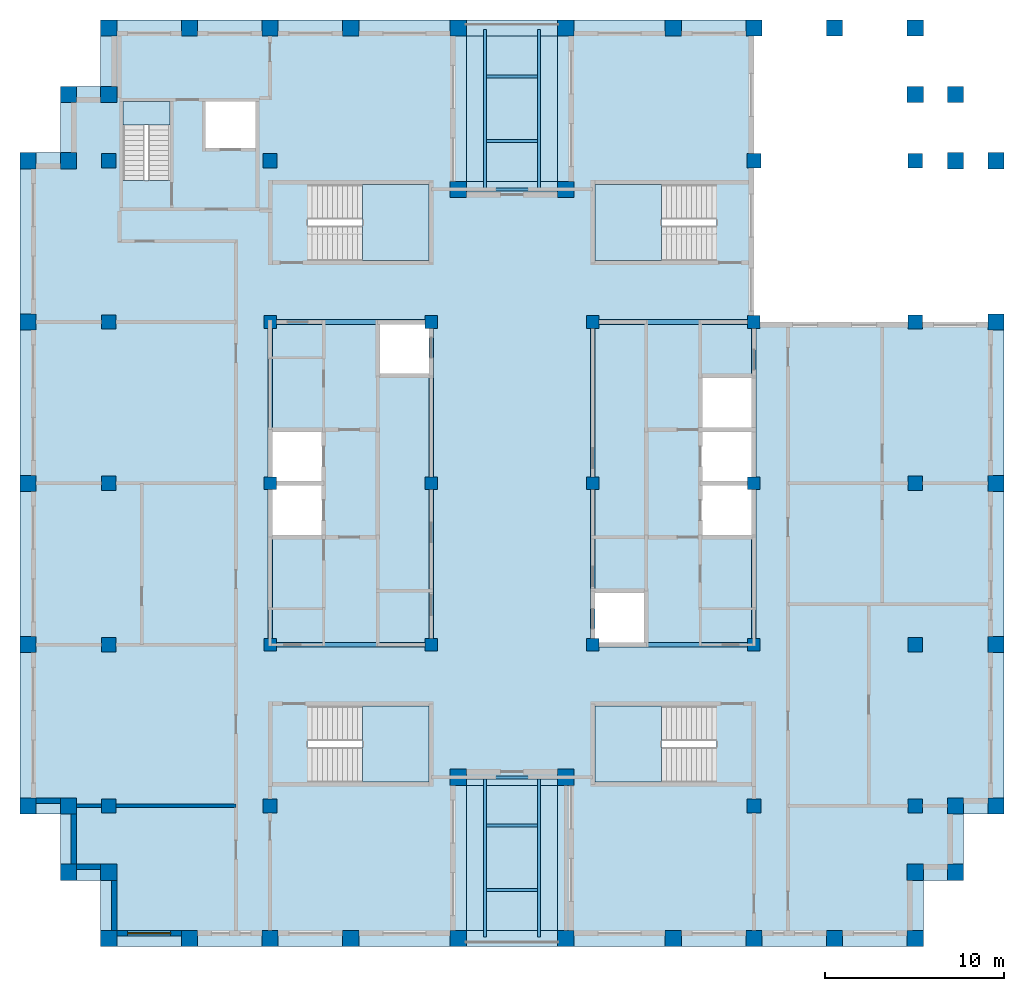
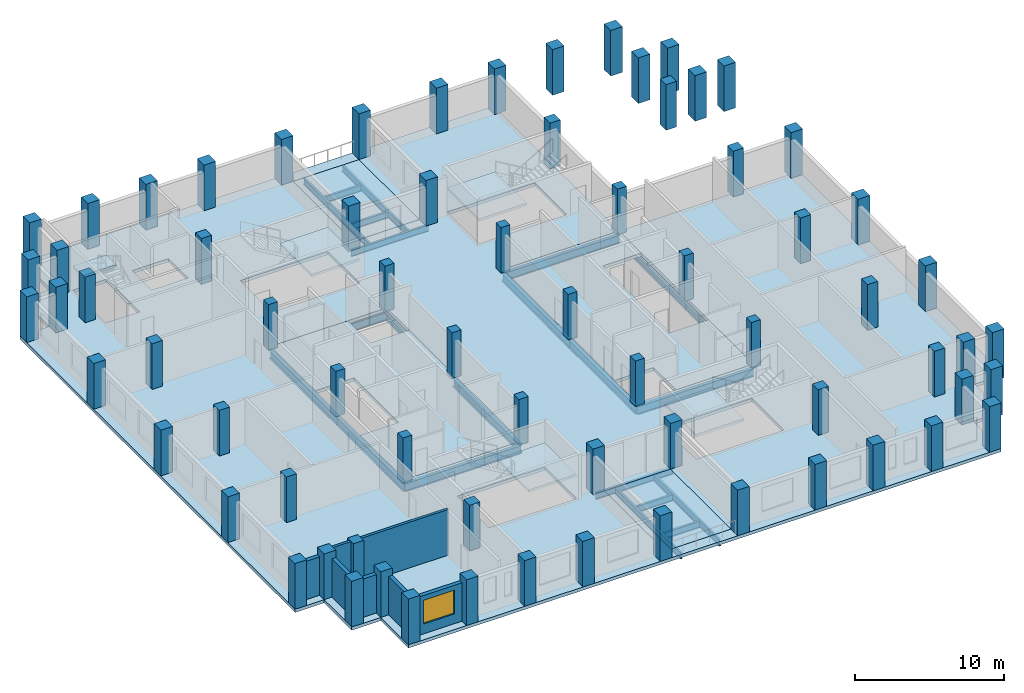
# One storey, part 1 of 8: 72 columns, 22 beams, 10 slabs, 6 walls, 1 window, 1 opening, 5 elements without a shape of their own.
"""IFC4 building model written with IfcOpenShell, lengths in metres."""

from ifc_helpers import new_model, si_unit, direction, frame, frame_2d, origin, origin_2d, place, context, subcontext, project, spatial, polyline, rectangle, i_section, outline, extrude, material, layer, layer_set, material_profile, profile_set, type_object, element, fill, aggregate, save


model = new_model("IFC4")

# Units and contexts
model_context = context("Model", 3, precision=1e-05, world=origin(), true_north=direction((0.0, 1.0)))
body_context = subcontext(model_context, "Body", "Model", "MODEL_VIEW")
ifc_project = project(units=[si_unit("LENGTHUNIT", "METRE"), si_unit("AREAUNIT", "SQUARE_METRE"), si_unit("VOLUMEUNIT", "CUBIC_METRE"), si_unit("PLANEANGLEUNIT", "RADIAN"), si_unit("MASSUNIT", "GRAM", prefix="KILO")], contexts=[model_context])

# Site, building, storey
site_placement = place(None, origin())
site = spatial("IfcSite", under=ifc_project, at=site_placement, CompositionType="ELEMENT")
building_placement = place(site_placement, origin())
building = spatial("IfcBuilding", under=site, at=building_placement, Name="Corbelhall Arena Tower", CompositionType="ELEMENT")
storey_placement = place(building_placement, frame((0.0, 0.0, 326.0)))
storey = spatial("IfcBuildingStorey", under=building, at=storey_placement, Name="L71", CompositionType="ELEMENT", Elevation=326.0)

# Columns
ifc_material_1 = material(Name="Concrete C80/95", Category="concrete")
ifc_material_profile_1 = material_profile(ifc_material_1, rectangle(XDim=0.699951171875, YDim=0.699951171875, at=origin_2d()))
ifc_profile_set_1 = profile_set([ifc_material_profile_1], Name="Concrete C80/95")
column_type_1 = type_object("IfcColumnType", Name="ST-COL-RC 700x700", PredefinedType="COLUMN", material=ifc_profile_set_1)
for number, where, z_axis, x_axis, name in (
    (1, (4.5, 0.0, 0.0), (0.0, 0.0, 1.0), (1.0, 0.0, 0.0), "Column KE+0450+0000"),
    (2, (4.5, 9.0, 0.0), (0.0, 0.0, 1.0), (1.0, 0.0, 0.0), "Column KE+0450+0900"),
    (3, (4.5, -9.0, 0.0), (0.0, 0.0, 1.0), (1.0, 0.0, 0.0), "Column KE+0450-0900"),
    (4, (13.5, 0.0, 0.0), (0.0, 0.0, 1.0), (1.0, 0.0, 0.0), "Column KE+1350+0000"),
    (5, (13.5, 9.0, 0.0), (0.0, 0.0, 1.0), (1.0, 0.0, 0.0), "Column KE+1350+0900"),
    (6, (13.5, -9.0, 0.0), (0.0, 0.0, 1.0), (1.0, 0.0, 0.0), "Column KE+1350-0900"),
    (7, (-4.5, 0.0, 0.0), (0.0, 0.0, 1.0), (1.0, 0.0, 0.0), "Column KW-0450+0000"),
    (8, (-4.5, 9.0, 0.0), (0.0, 0.0, 1.0), (1.0, 0.0, 0.0), "Column KW-0450+0900"),
    (9, (-4.5, -9.0, 0.0), (0.0, 0.0, 1.0), (1.0, 0.0, 0.0), "Column KW-0450-0900"),
    (10, (-13.5, 0.0, 0.0), (0.0, 0.0, 1.0), (1.0, 0.0, 0.0), "Column KW-1350+0000"),
    (11, (-13.5, 9.0, 0.0), (0.0, 0.0, 1.0), (1.0, 0.0, 0.0), "Column KW-1350+0900"),
    (12, (-13.5, -9.0, 0.0), (0.0, 0.0, 1.0), (1.0, 0.0, 0.0), "Column KW-1350-0900"),
):
    element("IfcColumn", number, at=place(storey_placement, frame(where, z_axis=z_axis, x_axis=x_axis)), inside=storey, type_object=column_type_1, Name=name, PredefinedType="COLUMN", context=body_context, shape_type="SweptSolid", body=[
        extrude(rectangle(XDim=0.699951171875, YDim=0.699951171875, at=origin_2d()), origin(), (0.0, 0.0, 1.0), 3.739990234375),
    ])
ifc_material_profile_2 = material_profile(ifc_material_1, rectangle(XDim=0.800048828125, YDim=0.800048828125, at=origin_2d()))
ifc_profile_set_2 = profile_set([ifc_material_profile_2], Name="Concrete C80/95")
column_type_2 = type_object("IfcColumnType", Name="ST-COL-RC 800x800", PredefinedType="COLUMN", material=ifc_profile_set_2)
for number, where, z_axis, x_axis, name in (
    (13, (13.5, 18.0, 0.0), (0.0, 0.0, 1.0), (1.0, 0.0, 0.0), "Column IE13+1800"),
    (14, (13.5, -18.0, 0.0), (0.0, 0.0, 1.0), (1.0, 0.0, 0.0), "Column IE13-1800"),
    (15, (22.5, 0.0, 0.0), (0.0, 0.0, 1.0), (1.0, 0.0, 0.0), "Column IE22+0000"),
    (16, (22.5, 9.0, 0.0), (0.0, 0.0, 1.0), (1.0, 0.0, 0.0), "Column IE22+0900"),
    (17, (22.5, 18.0, 0.0), (0.0, 0.0, 1.0), (1.0, 0.0, 0.0), "Column IE22+1800"),
    (18, (22.5, -9.0, 0.0), (0.0, 0.0, 1.0), (1.0, 0.0, 0.0), "Column IE22-0900"),
    (19, (22.5, -18.0, 0.0), (0.0, 0.0, 1.0), (1.0, 0.0, 0.0), "Column IE22-1800"),
    (20, (-13.5, 18.0, 0.0), (0.0, 0.0, 1.0), (1.0, 0.0, 0.0), "Column IW13+1800"),
    (21, (-13.5, -18.0, 0.0), (0.0, 0.0, 1.0), (1.0, 0.0, 0.0), "Column IW13-1800"),
    (22, (-22.5, 0.0, 0.0), (0.0, 0.0, 1.0), (1.0, 0.0, 0.0), "Column IW22+0000"),
    (23, (-22.5, 9.0, 0.0), (0.0, 0.0, 1.0), (1.0, 0.0, 0.0), "Column IW22+0900"),
    (24, (-22.5, 18.0, 0.0), (0.0, 0.0, 1.0), (1.0, 0.0, 0.0), "Column IW22+1800"),
    (25, (-22.5, -9.0, 0.0), (0.0, 0.0, 1.0), (1.0, 0.0, 0.0), "Column IW22-0900"),
    (26, (-22.5, -18.0, 0.0), (0.0, 0.0, 1.0), (1.0, 0.0, 0.0), "Column IW22-1800"),
):
    element("IfcColumn", number, at=place(storey_placement, frame(where, z_axis=z_axis, x_axis=x_axis)), inside=storey, type_object=column_type_2, Name=name, PredefinedType="COLUMN", context=body_context, shape_type="SweptSolid", body=[
        extrude(rectangle(XDim=0.800048828125, YDim=0.800048828125, at=origin_2d()), origin(), (0.0, 0.0, 1.0), 3.739990234375),
    ])
ifc_material_profile_3 = material_profile(ifc_material_1, rectangle(XDim=0.89990234375, YDim=0.89990234375, at=origin_2d()))
ifc_profile_set_3 = profile_set([ifc_material_profile_3], Name="Concrete C80/95")
column_type_3 = type_object("IfcColumnType", Name="ST-COL-RC 900x900", PredefinedType="COLUMN", material=ifc_profile_set_3)
for number, where, z_axis, x_axis, name in (
    (27, (27.0, 0.0, 0.0), (0.0, 0.0, 1.0), (0.0, 1.0, 0.0), "Column PE+0000"),
    (28, (27.0, 9.0, 0.0), (0.0, 0.0, 1.0), (0.0, 1.0, 0.0), "Column PE+0900"),
    (29, (27.0, 18.0, 0.0), (0.0, 0.0, 1.0), (0.0, 1.0, 0.0), "Column PE+1800"),
    (30, (27.0, -9.0, 0.0), (0.0, 0.0, 1.0), (0.0, 1.0, 0.0), "Column PE-0900"),
    (31, (27.0, -18.0, 0.0), (0.0, 0.0, 1.0), (0.0, 1.0, 0.0), "Column PE-1800"),
    (32, (3.0, 25.39990234375, 0.0), (0.0, 0.0, 1.0), (1.0, 0.0, 0.0), "Column PNE0300"),
    (33, (9.0, 25.39990234375, 0.0), (0.0, 0.0, 1.0), (1.0, 0.0, 0.0), "Column PNE0900"),
    (34, (13.5, 25.39990234375, 0.0), (0.0, 0.0, 1.0), (1.0, 0.0, 0.0), "Column PNE1350"),
    (35, (18.0, 25.39990234375, 0.0), (0.0, 0.0, 1.0), (1.0, 0.0, 0.0), "Column PNE1800"),
    (36, (22.5, 25.39990234375, 0.0), (0.0, 0.0, 1.0), (1.0, 0.0, 0.0), "Column PNE2250"),
    (37, (-3.0, 25.39990234375, 0.0), (0.0, 0.0, 1.0), (1.0, 0.0, 0.0), "Column PNW0300"),
    (38, (-9.0, 25.39990234375, 0.0), (0.0, 0.0, 1.0), (1.0, 0.0, 0.0), "Column PNW0900"),
    (39, (-13.5, 25.39990234375, 0.0), (0.0, 0.0, 1.0), (1.0, 0.0, 0.0), "Column PNW1350"),
    (40, (-18.0, 25.39990234375, 0.0), (0.0, 0.0, 1.0), (1.0, 0.0, 0.0), "Column PNW1800"),
    (41, (-22.5, 25.39990234375, 0.0), (0.0, 0.0, 1.0), (1.0, 0.0, 0.0), "Column PNW2250"),
    (42, (3.0, -25.39990234375, 0.0), (0.0, 0.0, 1.0), (1.0, 0.0, 0.0), "Column PSE0300"),
    (43, (9.0, -25.39990234375, 0.0), (0.0, 0.0, 1.0), (1.0, 0.0, 0.0), "Column PSE0900"),
    (44, (13.5, -25.39990234375, 0.0), (0.0, 0.0, 1.0), (1.0, 0.0, 0.0), "Column PSE1350"),
    (45, (18.0, -25.39990234375, 0.0), (0.0, 0.0, 1.0), (1.0, 0.0, 0.0), "Column PSE1800"),
    (46, (22.5, -25.39990234375, 0.0), (0.0, 0.0, 1.0), (1.0, 0.0, 0.0), "Column PSE2250"),
    (47, (-3.0, -25.39990234375, 0.0), (0.0, 0.0, 1.0), (1.0, 0.0, 0.0), "Column PSW0300"),
    (48, (-9.0, -25.39990234375, 0.0), (0.0, 0.0, 1.0), (1.0, 0.0, 0.0), "Column PSW0900"),
    (49, (-13.5, -25.39990234375, 0.0), (0.0, 0.0, 1.0), (1.0, 0.0, 0.0), "Column PSW1350"),
    (50, (-18.0, -25.39990234375, 0.0), (0.0, 0.0, 1.0), (1.0, 0.0, 0.0), "Column PSW1800"),
    (51, (-22.5, -25.39990234375, 0.0), (0.0, 0.0, 1.0), (1.0, 0.0, 0.0), "Column PSW2250"),
    (52, (-27.0, 0.0, 0.0), (0.0, 0.0, 1.0), (0.0, 1.0, 0.0), "Column PW+0000"),
    (53, (-27.0, 9.0, 0.0), (0.0, 0.0, 1.0), (0.0, 1.0, 0.0), "Column PW+0900"),
    (54, (-27.0, 18.0, 0.0), (0.0, 0.0, 1.0), (0.0, 1.0, 0.0), "Column PW+1800"),
    (55, (-27.0, -9.0, 0.0), (0.0, 0.0, 1.0), (0.0, 1.0, 0.0), "Column PW-0900"),
    (56, (-27.0, -18.0, 0.0), (0.0, 0.0, 1.0), (0.0, 1.0, 0.0), "Column PW-1800"),
    (57, (3.0, 16.39990234375, 0.0), (0.0, 0.0, 1.0), (1.0, 0.0, 0.0), "Column SLNE2"),
    (58, (-3.0, 16.39990234375, 0.0), (0.0, 0.0, 1.0), (1.0, 0.0, 0.0), "Column SLNW2"),
    (59, (3.0, -16.39990234375, 0.0), (0.0, 0.0, 1.0), (1.0, 0.0, 0.0), "Column SLSE2"),
    (60, (-3.0, -16.39990234375, 0.0), (0.0, 0.0, 1.0), (1.0, 0.0, 0.0), "Column SLSW2"),
    (61, (22.5, 21.699951171875, 0.0), (0.0, 0.0, 1.0), (1.0, 0.0, 0.0), "Column XNE1"),
    (62, (24.75, 21.699951171875, 0.0), (0.0, 0.0, 1.0), (1.0, 0.0, 0.0), "Column XNE2"),
    (63, (24.75, 18.0, 0.0), (0.0, 0.0, 1.0), (1.0, 0.0, 0.0), "Column XNE3"),
    (64, (-22.5, 21.699951171875, 0.0), (0.0, 0.0, 1.0), (1.0, 0.0, 0.0), "Column XNW1"),
    (65, (-24.75, 21.699951171875, 0.0), (0.0, 0.0, 1.0), (1.0, 0.0, 0.0), "Column XNW2"),
    (66, (-24.75, 18.0, 0.0), (0.0, 0.0, 1.0), (1.0, 0.0, 0.0), "Column XNW3"),
    (67, (22.5, -21.699951171875, 0.0), (0.0, 0.0, 1.0), (1.0, 0.0, 0.0), "Column XSE1"),
    (68, (24.75, -21.699951171875, 0.0), (0.0, 0.0, 1.0), (1.0, 0.0, 0.0), "Column XSE2"),
    (69, (24.75, -18.0, 0.0), (0.0, 0.0, 1.0), (1.0, 0.0, 0.0), "Column XSE3"),
    (70, (-22.5, -21.699951171875, 0.0), (0.0, 0.0, 1.0), (1.0, 0.0, 0.0), "Column XSW1"),
    (71, (-24.75, -21.699951171875, 0.0), (0.0, 0.0, 1.0), (1.0, 0.0, 0.0), "Column XSW2"),
    (72, (-24.75, -18.0, 0.0), (0.0, 0.0, 1.0), (1.0, 0.0, 0.0), "Column XSW3"),
):
    element("IfcColumn", number, at=place(storey_placement, frame(where, z_axis=z_axis, x_axis=x_axis)), inside=storey, type_object=column_type_3, Name=name, PredefinedType="COLUMN", context=body_context, shape_type="SweptSolid", body=[
        extrude(rectangle(XDim=0.89990234375, YDim=0.89990234375, at=origin_2d()), origin(), (0.0, 0.0, 1.0), 3.739990234375),
    ])

# Beams
ifc_material_2 = material(Name="Steel ASTM A992 Gr50", Category="steel")
ifc_material_profile_4 = material_profile(ifc_material_2, i_section(OverallWidth=0.16650390625, OverallDepth=0.535888671875, WebThickness=0.01025390625, FlangeThickness=0.0166015625, at=origin_2d()))
ifc_profile_set_4 = profile_set([ifc_material_profile_4], Name="Steel ASTM A992 Gr50")
beam_type_1 = type_object("IfcBeamType", Name="ST-BEAM-W21x57", PredefinedType="BEAM", material=ifc_profile_set_4)
beam_1_placement = place(storey_placement, frame((-3.0, 16.39990234375, -0.528076171875), z_axis=(1.0, 0.0, 0.0), x_axis=(0.0, 1.0, 0.0)))
element("IfcBeam", 73, at=beam_1_placement, inside=storey, type_object=beam_type_1, Name="Beam SFN 1", PredefinedType="BEAM", context=body_context, shape_type="SweptSolid", body=[
    extrude(i_section(OverallWidth=0.16650390625, OverallDepth=0.535888671875, WebThickness=0.01025390625, FlangeThickness=0.0166015625, at=origin_2d()), origin(), (0.0, 0.0, 1.0), 6.0),
])
for number, where, z_axis, x_axis, name in (
    (74, (-1.5, 16.4833984375, -0.528076171875), (0.0, 1.0, 0.0), (-1.0, 0.0, 0.0), "Beam SFN 2"),
    (75, (1.5, 16.4833984375, -0.528076171875), (0.0, 1.0, 0.0), (-1.0, 0.0, 0.0), "Beam SFN 3"),
):
    element("IfcBeam", number, at=place(storey_placement, frame(where, z_axis=z_axis, x_axis=x_axis)), inside=storey, type_object=beam_type_1, Name=name, PredefinedType="BEAM", context=body_context, shape_type="SweptSolid", body=[
        extrude(i_section(OverallWidth=0.16650390625, OverallDepth=0.535888671875, WebThickness=0.01025390625, FlangeThickness=0.0166015625, at=origin_2d()), origin(), (0.0, 0.0, 1.0), 8.833251953125),
    ])
for number, where, z_axis, x_axis, name in (
    (76, (-1.416748046875, 19.10009765625, -0.528076171875), (1.0, 0.0, 0.0), (0.0, 1.0, 0.0), "Beam SFN 4"),
    (77, (-1.416748046875, 22.699951171875, -0.528076171875), (1.0, 0.0, 0.0), (0.0, 1.0, 0.0), "Beam SFN 5"),
):
    element("IfcBeam", number, at=place(storey_placement, frame(where, z_axis=z_axis, x_axis=x_axis)), inside=storey, type_object=beam_type_1, Name=name, PredefinedType="BEAM", context=body_context, shape_type="SweptSolid", body=[
        extrude(i_section(OverallWidth=0.16650390625, OverallDepth=0.535888671875, WebThickness=0.01025390625, FlangeThickness=0.0166015625, at=origin_2d()), origin(), (0.0, 0.0, 1.0), 2.83349609375),
    ])
beam_2_placement = place(storey_placement, frame((-3.0, -16.39990234375, -0.528076171875), z_axis=(1.0, 0.0, 0.0), x_axis=(0.0, 1.0, 0.0)))
element("IfcBeam", 78, at=beam_2_placement, inside=storey, type_object=beam_type_1, Name="Beam SFS 1", PredefinedType="BEAM", context=body_context, shape_type="SweptSolid", body=[
    extrude(i_section(OverallWidth=0.16650390625, OverallDepth=0.535888671875, WebThickness=0.01025390625, FlangeThickness=0.0166015625, at=origin_2d()), origin(), (0.0, 0.0, 1.0), 6.0),
])
for number, where, z_axis, x_axis, name in (
    (79, (-1.5, -16.4833984375, -0.528076171875), (0.0, -1.0, 0.0), (1.0, 0.0, 0.0), "Beam SFS 2"),
    (80, (1.5, -16.4833984375, -0.528076171875), (0.0, -1.0, 0.0), (1.0, 0.0, 0.0), "Beam SFS 3"),
):
    element("IfcBeam", number, at=place(storey_placement, frame(where, z_axis=z_axis, x_axis=x_axis)), inside=storey, type_object=beam_type_1, Name=name, PredefinedType="BEAM", context=body_context, shape_type="SweptSolid", body=[
        extrude(i_section(OverallWidth=0.16650390625, OverallDepth=0.535888671875, WebThickness=0.01025390625, FlangeThickness=0.0166015625, at=origin_2d()), origin(), (0.0, 0.0, 1.0), 8.833251953125),
    ])
for number, where, z_axis, x_axis, name in (
    (81, (-1.416748046875, -19.10009765625, -0.528076171875), (1.0, 0.0, 0.0), (0.0, 1.0, 0.0), "Beam SFS 4"),
    (82, (-1.416748046875, -22.699951171875, -0.528076171875), (1.0, 0.0, 0.0), (0.0, 1.0, 0.0), "Beam SFS 5"),
):
    element("IfcBeam", number, at=place(storey_placement, frame(where, z_axis=z_axis, x_axis=x_axis)), inside=storey, type_object=beam_type_1, Name=name, PredefinedType="BEAM", context=body_context, shape_type="SweptSolid", body=[
        extrude(i_section(OverallWidth=0.16650390625, OverallDepth=0.535888671875, WebThickness=0.01025390625, FlangeThickness=0.0166015625, at=origin_2d()), origin(), (0.0, 0.0, 1.0), 2.83349609375),
    ])
ifc_material_profile_5 = material_profile(ifc_material_2, i_section(OverallWidth=0.25390625, OverallDepth=0.67822265625, WebThickness=0.01171875, FlangeThickness=0.016357421875, at=origin_2d()))
ifc_profile_set_5 = profile_set([ifc_material_profile_5], Name="Steel ASTM A992 Gr50")
beam_type_2 = type_object("IfcBeamType", Name="ST-BEAM-W27x84", PredefinedType="BEAM", material=ifc_profile_set_5)
for number, where, z_axis, x_axis, name in (
    (83, (-13.5, -9.0, -0.59912109375), (0.0, 1.0, 0.0), (-1.0, 0.0, 0.0), "Beam CEW 1"),
    (84, (-13.5, 0.0, -0.59912109375), (0.0, 1.0, 0.0), (-1.0, 0.0, 0.0), "Beam CEW 2"),
    (85, (-4.5, -9.0, -0.59912109375), (0.0, 1.0, 0.0), (-1.0, 0.0, 0.0), "Beam CEW 3"),
    (86, (-4.5, 0.0, -0.59912109375), (0.0, 1.0, 0.0), (-1.0, 0.0, 0.0), "Beam CEW 4"),
    (87, (-13.5, -9.0, -0.59912109375), (1.0, 0.0, 0.0), (0.0, 1.0, 0.0), "Beam CEW 5"),
    (88, (-13.5, 9.0, -0.59912109375), (1.0, 0.0, 0.0), (0.0, 1.0, 0.0), "Beam CEW 6"),
    (89, (4.5, -9.0, -0.59912109375), (0.0, 1.0, 0.0), (-1.0, 0.0, 0.0), "Beam CEE 7"),
    (90, (4.5, 0.0, -0.59912109375), (0.0, 1.0, 0.0), (-1.0, 0.0, 0.0), "Beam CEE 8"),
    (91, (13.5, -9.0, -0.59912109375), (0.0, 1.0, 0.0), (-1.0, 0.0, 0.0), "Beam CEE 9"),
    (92, (13.5, 0.0, -0.59912109375), (0.0, 1.0, 0.0), (-1.0, 0.0, 0.0), "Beam CEE 10"),
    (93, (4.5, -9.0, -0.59912109375), (1.0, 0.0, 0.0), (0.0, 1.0, 0.0), "Beam CEE 11"),
    (94, (4.5, 9.0, -0.59912109375), (1.0, 0.0, 0.0), (0.0, 1.0, 0.0), "Beam CEE 12"),
):
    element("IfcBeam", number, at=place(storey_placement, frame(where, z_axis=z_axis, x_axis=x_axis)), inside=storey, type_object=beam_type_2, Name=name, PredefinedType="BEAM", context=body_context, shape_type="SweptSolid", body=[
        extrude(i_section(OverallWidth=0.25390625, OverallDepth=0.67822265625, WebThickness=0.01171875, FlangeThickness=0.016357421875, at=origin_2d()), origin(), (0.0, 0.0, 1.0), 9.0),
    ])

# Slabs
ifc_material_3 = material(Name="Concrete C40/50", Category="concrete")
ifc_layer_1 = layer(ifc_material_3, 0.300048828125)
ifc_layer_set_1 = layer_set([ifc_layer_1], Name="IN-SL-CORE")
slab_type_1 = type_object("IfcSlabType", Name="IN-SL-CORE", PredefinedType="FLOOR", material=ifc_layer_set_1)
slab_1_placement = place(storey_placement, frame((0.0, 0.0, -0.260009765625)))
element("IfcSlab", 95, at=slab_1_placement, inside=storey, type_object=slab_type_1, Name="Core floor W", PredefinedType="FLOOR", context=body_context, shape_type="SweptSolid", body=[
    extrude(outline(polyline([(-13.5, -3.0), (-13.5, -9.0), (-4.5, -9.0), (-4.5, 6.0), (-7.5, 6.0), (-7.5, 9.0), (-13.5, 9.0), (-13.5, 3.0), (-10.5, 3.0), (-10.5, 0.0), (-10.5, -3.0), (-13.5, -3.0)])), origin(), (0.0, 0.0, 1.0), 0.260009765625),
])
slab_2_placement = place(storey_placement, frame((0.0, 0.0, -0.260009765625)))
element("IfcSlab", 96, at=slab_2_placement, inside=storey, type_object=slab_type_1, Name="Core floor E", PredefinedType="FLOOR", context=body_context, shape_type="SweptSolid", body=[
    extrude(outline(polyline([(10.5, 0.0), (10.5, 3.0), (10.5, 6.0), (13.5, 6.0), (13.5, 9.0), (4.5, 9.0), (4.5, -6.0), (7.5, -6.0), (7.5, -9.0), (13.5, -9.0), (13.5, -3.0), (10.5, -3.0), (10.5, 0.0)])), origin(), (0.0, 0.0, 1.0), 0.260009765625),
])

# Stair, slab
stair_type = type_object("IfcStairType", Name="IN-ST-TOWER", PredefinedType="HALF_TURN_STAIR", material=ifc_material_3)
stair_1_placement = place(storey_placement, origin())
stair_1 = element("IfcStair", 97, at=stair_1_placement, inside=storey, type_object=stair_type, Name="L71 Exit stair ST1", PredefinedType="HALF_TURN_STAIR")
ifc_layer_2 = layer(ifc_material_3, 0.199951171875)
ifc_layer_set_2 = layer_set([ifc_layer_2], Name="IN-SL-LANDING")
slab_type_2 = type_object("IfcSlabType", Name="IN-SL-LANDING", PredefinedType="LANDING", material=ifc_layer_set_2)
slab_3_placement = place(storey_placement, frame((0.0, 0.0, 1.800048828125)))
slab_3 = element("IfcSlab", 98, at=slab_3_placement, type_object=slab_type_2, Name="ST1 landing 1", PredefinedType="LANDING", context=body_context, shape_type="SweptSolid", body=[
    extrude(outline(polyline([(-8.344970703125, 12.425048828125), (-4.625, 12.425048828125), (-4.625, 16.675048828125), (-8.344970703125, 16.675048828125), (-8.344970703125, 12.425048828125)])), origin(), (0.0, 0.0, 1.0), 0.199951171875),
])
aggregate(stair_1, [slab_3])

stair_2_placement = place(storey_placement, origin())
stair_2 = element("IfcStair", 99, at=stair_2_placement, inside=storey, type_object=stair_type, Name="L71 Exit stair ST2", PredefinedType="HALF_TURN_STAIR")
slab_4_placement = place(storey_placement, frame((0.0, 0.0, 1.800048828125)))
slab_4 = element("IfcSlab", 100, at=slab_4_placement, type_object=slab_type_2, Name="ST2 landing 1", PredefinedType="LANDING", context=body_context, shape_type="SweptSolid", body=[
    extrude(outline(polyline([(-8.344970703125, -16.675048828125), (-4.625, -16.675048828125), (-4.625, -12.425048828125), (-8.344970703125, -12.425048828125), (-8.344970703125, -16.675048828125)])), origin(), (0.0, 0.0, 1.0), 0.199951171875),
])
aggregate(stair_2, [slab_4])

stair_3_placement = place(storey_placement, origin())
stair_3 = element("IfcStair", 101, at=stair_3_placement, inside=storey, type_object=stair_type, Name="L71 Exit stair ST3", PredefinedType="HALF_TURN_STAIR")
slab_5_placement = place(storey_placement, frame((0.0, 0.0, 1.800048828125)))
slab_5 = element("IfcSlab", 102, at=slab_5_placement, type_object=slab_type_2, Name="ST3 landing 1", PredefinedType="LANDING", context=body_context, shape_type="SweptSolid", body=[
    extrude(outline(polyline([(8.344970703125, 16.675048828125), (4.625, 16.675048828125), (4.625, 12.425048828125), (8.344970703125, 12.425048828125), (8.344970703125, 16.675048828125)])), origin(), (0.0, 0.0, 1.0), 0.199951171875),
])
aggregate(stair_3, [slab_5])

stair_4_placement = place(storey_placement, origin())
stair_4 = element("IfcStair", 103, at=stair_4_placement, inside=storey, type_object=stair_type, Name="L71 Exit stair ST4", PredefinedType="HALF_TURN_STAIR")
slab_6_placement = place(storey_placement, frame((0.0, 0.0, 1.800048828125)))
slab_6 = element("IfcSlab", 104, at=slab_6_placement, type_object=slab_type_2, Name="ST4 landing 1", PredefinedType="LANDING", context=body_context, shape_type="SweptSolid", body=[
    extrude(outline(polyline([(8.344970703125, -12.425048828125), (4.625, -12.425048828125), (4.625, -16.675048828125), (8.344970703125, -16.675048828125), (8.344970703125, -12.425048828125)])), origin(), (0.0, 0.0, 1.0), 0.199951171875),
])
aggregate(stair_4, [slab_6])

stair_5_placement = place(storey_placement, origin())
stair_5 = element("IfcStair", 105, at=stair_5_placement, inside=storey, type_object=stair_type, Name="L71 Exit stair ST5", PredefinedType="HALF_TURN_STAIR")
slab_7_placement = place(storey_placement, frame((0.0, 0.0, 1.800048828125)))
slab_7 = element("IfcSlab", 106, at=slab_7_placement, type_object=slab_type_2, Name="ST5 landing 1", PredefinedType="LANDING", context=body_context, shape_type="SweptSolid", body=[
    extrude(outline(polyline([(-19.094970703125, 19.97998046875), (-19.094970703125, 21.300048828125), (-21.695068359375, 21.300048828125), (-21.695068359375, 19.97998046875), (-19.094970703125, 19.97998046875)])), origin(), (0.0, 0.0, 1.0), 0.199951171875),
])
aggregate(stair_5, [slab_7])

# Slabs
ifc_layer_3 = layer(ifc_material_3, 0.260009765625)
ifc_layer_set_3 = layer_set([ifc_layer_3], Name="ST-SLAB-FLOOR-260")
slab_type_3 = type_object("IfcSlabType", Name="ST-SLAB-FLOOR-260", PredefinedType="FLOOR", material=ifc_layer_set_3)
slab_8_placement = place(storey_placement, frame((0.0, 0.0, -0.260009765625)))
element("IfcSlab", 107, at=slab_8_placement, inside=storey, type_object=slab_type_3, Name="Floor slab L71 1", PredefinedType="FLOOR", context=body_context, shape_type="SweptSolid", body=[
    extrude(outline(polyline([(22.949951171875, -22.14990234375), (25.199951171875, -22.14990234375), (25.199951171875, -18.449951171875), (27.449951171875, -18.449951171875), (27.449951171875, 9.0), (13.5, 9.0), (13.5, 25.85009765625), (-22.949951171875, 25.85009765625), (-22.949951171875, 22.14990234375), (-25.199951171875, 22.14990234375), (-25.199951171875, 18.449951171875), (-27.449951171875, 18.449951171875), (-27.449951171875, -18.449951171875), (-25.199951171875, -18.449951171875), (-25.199951171875, -22.14990234375), (-22.949951171875, -22.14990234375), (-22.949951171875, -25.85009765625), (22.949951171875, -25.85009765625), (22.949951171875, -22.14990234375)]), holes=[polyline([(4.501220703125, 8.997314453125), (4.501220703125, -8.997314453125), (13.498779296875, -8.997314453125), (13.498779296875, 8.997314453125), (4.501220703125, 8.997314453125)]), polyline([(2.550048828125, 24.949951171875), (-2.550048828125, 24.949951171875), (-2.550048828125, 16.85009765625), (2.550048828125, 16.85009765625), (2.550048828125, 24.949951171875)]), polyline([(2.550048828125, -24.949951171875), (2.550048828125, -16.85009765625), (-2.550048828125, -16.85009765625), (-2.550048828125, -24.949951171875), (2.550048828125, -24.949951171875)]), polyline([(-13.5, 9.0), (-13.5, -9.0), (-4.5, -9.0), (-4.5, 9.0), (-13.5, 9.0)]), polyline([(-4.625, 16.675048828125), (-11.422119140625, 16.675048828125), (-11.422119140625, 12.425048828125), (-4.625, 12.425048828125), (-4.625, 16.675048828125)]), polyline([(-4.625, -16.675048828125), (-4.625, -12.425048828125), (-11.422119140625, -12.425048828125), (-11.422119140625, -16.675048828125), (-4.625, -16.675048828125)]), polyline([(11.422119140625, 16.675048828125), (4.625, 16.675048828125), (4.625, 12.425048828125), (11.422119140625, 12.425048828125), (11.422119140625, 16.675048828125)]), polyline([(11.422119140625, -16.675048828125), (11.422119140625, -12.425048828125), (4.625, -12.425048828125), (4.625, -16.675048828125), (11.422119140625, -16.675048828125)]), polyline([(-21.695068359375, 21.300048828125), (-21.695068359375, 16.903076171875), (-19.094970703125, 16.903076171875), (-19.094970703125, 21.300048828125), (-21.695068359375, 21.300048828125)]), polyline([(-14.300048828125, 21.300048828125), (-17.10009765625, 21.300048828125), (-17.10009765625, 18.699951171875), (-14.300048828125, 18.699951171875), (-14.300048828125, 21.300048828125)])]), origin(), (0.0, 0.0, 1.0), 0.260009765625),
])
slab_9_placement = place(storey_placement, frame((0.0, 0.0, -0.260009765625)))
element("IfcSlab", 108, at=slab_9_placement, inside=storey, type_object=slab_type_3, Name="Terrace slab T-Z5b-SLOT-N", PredefinedType="FLOOR", context=body_context, shape_type="SweptSolid", body=[
    extrude(outline(polyline([(2.550048828125, 16.85009765625), (2.550048828125, 24.949951171875), (-2.550048828125, 24.949951171875), (-2.550048828125, 16.85009765625), (2.550048828125, 16.85009765625)])), origin(), (0.0, 0.0, 1.0), 0.260009765625),
])
slab_10_placement = place(storey_placement, frame((0.0, 0.0, -0.260009765625)))
element("IfcSlab", 109, at=slab_10_placement, inside=storey, type_object=slab_type_3, Name="Terrace slab T-Z5b-SLOT-S", PredefinedType="FLOOR", context=body_context, shape_type="SweptSolid", body=[
    extrude(outline(polyline([(2.550048828125, -24.949951171875), (2.550048828125, -16.85009765625), (-2.550048828125, -16.85009765625), (-2.550048828125, -24.949951171875), (2.550048828125, -24.949951171875)])), origin(), (0.0, 0.0, 1.0), 0.260009765625),
])

# Walls
ifc_material_4 = material(Name="Precast concrete C40/50 with granite facing", Category="masonry")
ifc_layer_4 = layer(ifc_material_4, 0.300048828125)
ifc_layer_set_4 = layer_set([ifc_layer_4], Name="EV-IW1 Infill panel 300")
wall_type_1 = type_object("IfcWallType", Name="EV-IW1 Infill panel 300", PredefinedType="SOLIDWALL", material=ifc_layer_set_4)
wall_1_placement = place(storey_placement, frame((-26.550048828125, -17.699951171875, 0.0), z_axis=(0.0, 0.0, 1.0), x_axis=(1.0, 0.0, 0.0)))
element("IfcWall", 110, at=wall_1_placement, inside=storey, type_object=wall_type_1, Name="Infill panel IW1", PredefinedType="SOLIDWALL", context=body_context, shape_type="SweptSolid", body=[
    extrude(rectangle(XDim=1.35009765625, YDim=0.300048828125, at=frame_2d((0.675048828125, 0.0))), origin(), (0.0, 0.0, 1.0), 3.139892578125),
])
wall_2_placement = place(storey_placement, frame((-24.449951171875, -18.449951171875, 0.0), z_axis=(0.0, 0.0, 1.0), x_axis=(0.0, -1.0, 0.0)))
element("IfcWall", 111, at=wall_2_placement, inside=storey, type_object=wall_type_1, Name="Infill panel IW1", PredefinedType="SOLIDWALL", context=body_context, shape_type="SweptSolid", body=[
    extrude(rectangle(XDim=2.800048828125, YDim=0.300048828125, at=frame_2d((1.39990234375, 0.0))), origin(), (0.0, 0.0, 1.0), 3.139892578125),
])
wall_3_placement = place(storey_placement, frame((-24.300048828125, -21.39990234375, 0.0), z_axis=(0.0, 0.0, 1.0), x_axis=(1.0, 0.0, 0.0)))
element("IfcWall", 112, at=wall_3_placement, inside=storey, type_object=wall_type_1, Name="Infill panel IW1", PredefinedType="SOLIDWALL", context=body_context, shape_type="SweptSolid", body=[
    extrude(rectangle(XDim=1.35009765625, YDim=0.300048828125, at=frame_2d((0.675048828125, 0.0))), origin(), (0.0, 0.0, 1.0), 3.139892578125),
])
wall_4_placement = place(storey_placement, frame((-22.199951171875, -22.14990234375, 0.0), z_axis=(0.0, 0.0, 1.0), x_axis=(0.0, -1.0, 0.0)))
element("IfcWall", 113, at=wall_4_placement, inside=storey, type_object=wall_type_1, Name="Infill panel IW1", PredefinedType="SOLIDWALL", context=body_context, shape_type="SweptSolid", body=[
    extrude(rectangle(XDim=2.800048828125, YDim=0.300048828125, at=frame_2d((1.39990234375, 0.0))), origin(), (0.0, 0.0, 1.0), 3.139892578125),
])

# Wall, opening, window
wall_5_placement = place(storey_placement, frame((-22.050048828125, -25.10009765625, 0.0), z_axis=(0.0, 0.0, 1.0), x_axis=(1.0, 0.0, 0.0)))
wall_5 = element("IfcWall", 114, at=wall_5_placement, inside=storey, type_object=wall_type_1, Name="Infill panel IW1", PredefinedType="SOLIDWALL", context=body_context, shape_type="SweptSolid", body=[
    extrude(rectangle(XDim=3.60009765625, YDim=0.300048828125, at=frame_2d((1.800048828125, 0.0))), origin(), (0.0, 0.0, 1.0), 3.139892578125),
])
opening_placement = place(wall_5_placement, frame((0.60009765625, 0.0, 0.800048828125)))
opening = element("IfcOpeningElement", 115, at=opening_placement, cuts=wall_5, Name="Opening WN1", PredefinedType="OPENING", context=body_context, shape_type="SweptSolid", body=[
    extrude(rectangle(XDim=2.39990234375, YDim=1.949951171875, at=frame_2d((1.199951171875, 0.97509765625))), frame((0.0, 0.14990234375, 0.0), z_axis=(0.0, -1.0, 0.0), x_axis=(1.0, 0.0, 0.0)), (0.0, 0.0, 1.0), 0.300048828125),
])
ifc_material_5 = material(Name="Aluminium black anodised", Category="aluminium")
window_type = type_object("IfcWindowType", Name="EV-WN1 Office window", PartitioningType="SINGLE_PANEL", PredefinedType="WINDOW", material=ifc_material_5)
window_placement = place(opening_placement, origin())
window = element("IfcWindow", 116, at=window_placement, inside=storey, type_object=window_type, Name="Window WN1", OverallHeight=1.949951171875, OverallWidth=2.39990234375, PartitioningType="SINGLE_PANEL", PredefinedType="WINDOW", context=body_context, shape_type="SweptSolid", body=[
    extrude(rectangle(XDim=2.39990234375, YDim=1.949951171875, at=frame_2d((1.199951171875, 0.97509765625))), frame((0.0, 0.030029296875, 0.0), z_axis=(0.0, -1.0, 0.0), x_axis=(1.0, 0.0, 0.0)), (0.0, 0.0, 1.0), 0.06005859375),
])
fill(opening, window)

# Wall
ifc_material_6 = material(Name="Gypsum board on steel stud, acoustic", Category="steel")
ifc_layer_5 = layer(ifc_material_6, 0.199951171875)
ifc_layer_set_5 = layer_set([ifc_layer_5], Name="IN-W-DM200")
wall_type_2 = type_object("IfcWallType", Name="IN-W-DM200", PredefinedType="PARTITIONING", material=ifc_layer_set_5)
wall_6_placement = place(storey_placement, frame((-24.300048828125, -18.0, 0.0), z_axis=(0.0, 0.0, 1.0), x_axis=(1.0, 0.0, 0.0)))
element("IfcWall", 117, at=wall_6_placement, inside=storey, type_object=wall_type_2, Name="Partition 003", PredefinedType="PARTITIONING", context=body_context, shape_type="SweptSolid", body=[
    extrude(rectangle(XDim=8.900146484375, YDim=0.199951171875, at=frame_2d((4.4501953125, 0.0))), origin(), (0.0, 0.0, 1.0), 3.739990234375),
])

save(model, "model.ifc")
